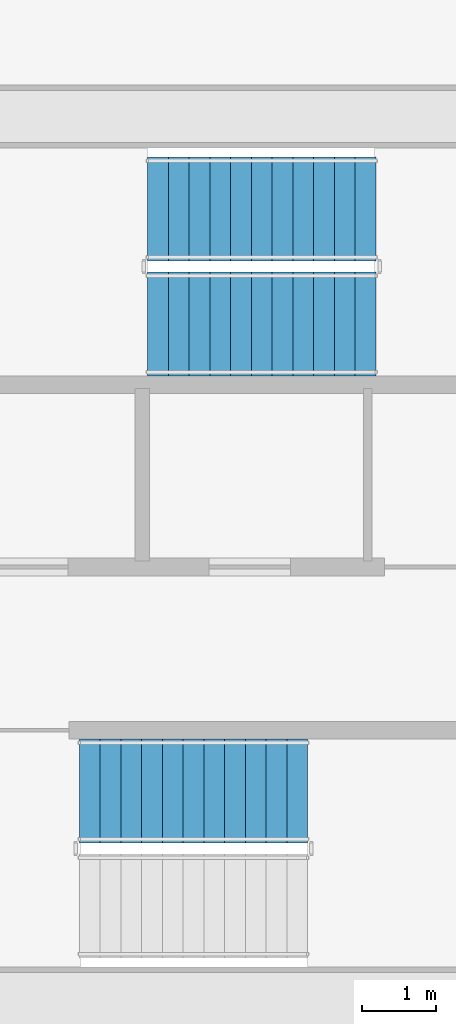
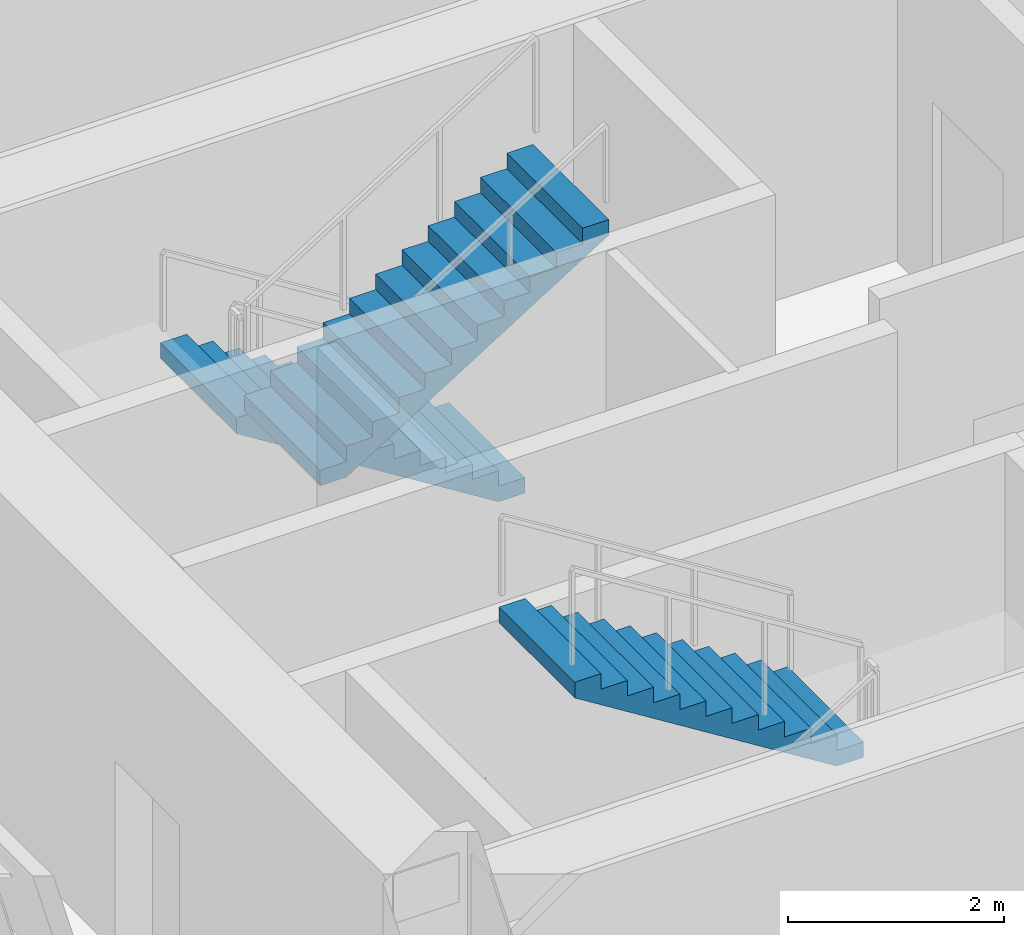
# One storey, part 13 of 23: 3 stair flights, 2 elements without a shape of their own.
"""IFC4 building model written with IfcOpenShell, lengths in metres."""

from ifc_helpers import new_model, si_unit, direction, frame, origin, place, context, subcontext, project, spatial, polyline, outline, extrude, material, type_object, element, aggregate, save


model = new_model("IFC4")

# Units and contexts
model_context = context("Model", 3, precision=1e-05, world=origin(), true_north=direction((0.0, 1.0)))
body_context = subcontext(model_context, "Body", "Model", "MODEL_VIEW")
ifc_project = project(units=[si_unit("LENGTHUNIT", "METRE"), si_unit("AREAUNIT", "SQUARE_METRE"), si_unit("VOLUMEUNIT", "CUBIC_METRE"), si_unit("PLANEANGLEUNIT", "RADIAN"), si_unit("MASSUNIT", "GRAM", prefix="KILO")], contexts=[model_context])

# Site, building, storey
site_placement = place(None, origin())
site = spatial("IfcSite", under=ifc_project, at=site_placement, CompositionType="ELEMENT")
building_placement = place(site_placement, origin())
building = spatial("IfcBuilding", under=site, at=building_placement, Name="Norrkilde Senior Care Towers", CompositionType="ELEMENT")
storey_placement = place(building_placement, frame((0.0, 0.0, 8.39990234375)))
storey = spatial("IfcBuildingStorey", under=building, at=storey_placement, Name="L02", CompositionType="ELEMENT", Elevation=8.39990234375)

# Stair, stair flights
ifc_material = material(Name="Concrete C45/55", Category="concrete")
stair_type = type_object("IfcStairType", Name="Core Protected Dogleg Stair Podium 4200", PredefinedType="HALF_TURN_STAIR", material=ifc_material)
stair_1_placement = place(storey_placement, origin())
stair_1 = element("IfcStair", 1, at=stair_1_placement, inside=storey, type_object=stair_type, Name="L02 Protected Core Stair E1", PredefinedType="HALF_TURN_STAIR")
stair_flight_type = type_object("IfcStairFlightType", Name="Core Protected Dogleg Stair Podium 4200 Flight", PredefinedType="STRAIGHT", material=ifc_material)
stair_flight_1_placement = place(storey_placement, frame((26.89990234375, 4.699951171875, 0.0), z_axis=(0.0, 0.0, 1.0), x_axis=(-1.0, 0.0, 0.0)))
stair_flight_1 = element("IfcStairFlight", 2, at=stair_flight_1_placement, type_object=stair_flight_type, Name="ST-E1 flight 1", NumberOfRisers=12, NumberOfTreads=11, PredefinedType="STRAIGHT", RiserHeight=0.175, TreadLength=0.28, context=body_context, shape_type="SweptSolid", body=[
    extrude(outline(polyline([(0.0, 0.0), (0.0, 0.175048828125), (0.280029296875, 0.175048828125), (0.280029296875, 0.35009765625), (0.56005859375, 0.35009765625), (0.56005859375, 0.52490234375), (0.840087890625, 0.52490234375), (0.840087890625, 0.699951171875), (1.1201171875, 0.699951171875), (1.1201171875, 0.875), (1.39990234375, 0.875), (1.39990234375, 1.050048828125), (1.679931640625, 1.050048828125), (1.679931640625, 1.22509765625), (1.9599609375, 1.22509765625), (1.9599609375, 1.39990234375), (2.239990234375, 1.39990234375), (2.239990234375, 1.574951171875), (2.52001953125, 1.574951171875), (2.52001953125, 1.75), (2.800048828125, 1.75), (2.800048828125, 1.925048828125), (3.080078125, 1.925048828125), (3.080078125, 2.10009765625), (3.080078125, 1.748291015625), (0.28271484375, 0.0), (0.0, 0.0)])), frame((0.0, 0.699951171875, 0.0), z_axis=(0.0, -1.0, 0.0), x_axis=(1.0, 0.0, 0.0)), (0.0, 0.0, 1.0), 1.39990234375),
])
stair_flight_2_placement = place(storey_placement, frame((23.820068359375, 3.14990234375, 2.10009765625), z_axis=(0.0, 0.0, 1.0), x_axis=(1.0, 0.0, 0.0)))
stair_flight_2 = element("IfcStairFlight", 3, at=stair_flight_2_placement, type_object=stair_flight_type, Name="ST-E1 flight 2", NumberOfRisers=12, NumberOfTreads=11, PredefinedType="STRAIGHT", RiserHeight=0.175, TreadLength=0.28, context=body_context, shape_type="SweptSolid", body=[
    extrude(outline(polyline([(0.0, 0.0), (0.0, 0.175048828125), (0.280029296875, 0.175048828125), (0.280029296875, 0.35009765625), (0.56005859375, 0.35009765625), (0.56005859375, 0.52490234375), (0.840087890625, 0.52490234375), (0.840087890625, 0.699951171875), (1.1201171875, 0.699951171875), (1.1201171875, 0.875), (1.39990234375, 0.875), (1.39990234375, 1.050048828125), (1.679931640625, 1.050048828125), (1.679931640625, 1.22509765625), (1.9599609375, 1.22509765625), (1.9599609375, 1.39990234375), (2.239990234375, 1.39990234375), (2.239990234375, 1.574951171875), (2.52001953125, 1.574951171875), (2.52001953125, 1.75), (2.800048828125, 1.75), (2.800048828125, 1.925048828125), (3.080078125, 1.925048828125), (3.080078125, 2.10009765625), (3.080078125, 1.748291015625), (0.28271484375, 0.0), (0.0, 0.0)])), frame((0.0, 0.699951171875, 0.0), z_axis=(0.0, -1.0, 0.0), x_axis=(1.0, 0.0, 0.0)), (0.0, 0.0, 1.0), 1.39990234375),
])
aggregate(stair_1, [stair_flight_1, stair_flight_2])

# Stair, stair flight
stair_2_placement = place(storey_placement, origin())
stair_2 = element("IfcStair", 4, at=stair_2_placement, inside=storey, type_object=stair_type, Name="L02 Protected Core Stair E2", PredefinedType="HALF_TURN_STAIR")
stair_flight_3_placement = place(storey_placement, frame((25.97998046875, -3.14990234375, 2.10009765625), z_axis=(0.0, 0.0, 1.0), x_axis=(-1.0, 0.0, 0.0)))
stair_flight_3 = element("IfcStairFlight", 5, at=stair_flight_3_placement, type_object=stair_flight_type, Name="ST-E2 flight 2", NumberOfRisers=12, NumberOfTreads=11, PredefinedType="STRAIGHT", RiserHeight=0.175, TreadLength=0.28, context=body_context, shape_type="SweptSolid", body=[
    extrude(outline(polyline([(0.0, 0.0), (0.0, 0.175048828125), (0.280029296875, 0.175048828125), (0.280029296875, 0.35009765625), (0.56005859375, 0.35009765625), (0.56005859375, 0.52490234375), (0.840087890625, 0.52490234375), (0.840087890625, 0.699951171875), (1.1201171875, 0.699951171875), (1.1201171875, 0.875), (1.39990234375, 0.875), (1.39990234375, 1.050048828125), (1.679931640625, 1.050048828125), (1.679931640625, 1.22509765625), (1.9599609375, 1.22509765625), (1.9599609375, 1.39990234375), (2.239990234375, 1.39990234375), (2.239990234375, 1.574951171875), (2.52001953125, 1.574951171875), (2.52001953125, 1.75), (2.800048828125, 1.75), (2.800048828125, 1.925048828125), (3.080078125, 1.925048828125), (3.080078125, 2.10009765625), (3.080078125, 1.748291015625), (0.28271484375, 0.0), (0.0, 0.0)])), frame((0.0, 0.699951171875, 0.0), z_axis=(0.0, -1.0, 0.0), x_axis=(1.0, 0.0, 0.0)), (0.0, 0.0, 1.0), 1.39990234375),
])
aggregate(stair_2, [stair_flight_3])

save(model, "model.ifc")
